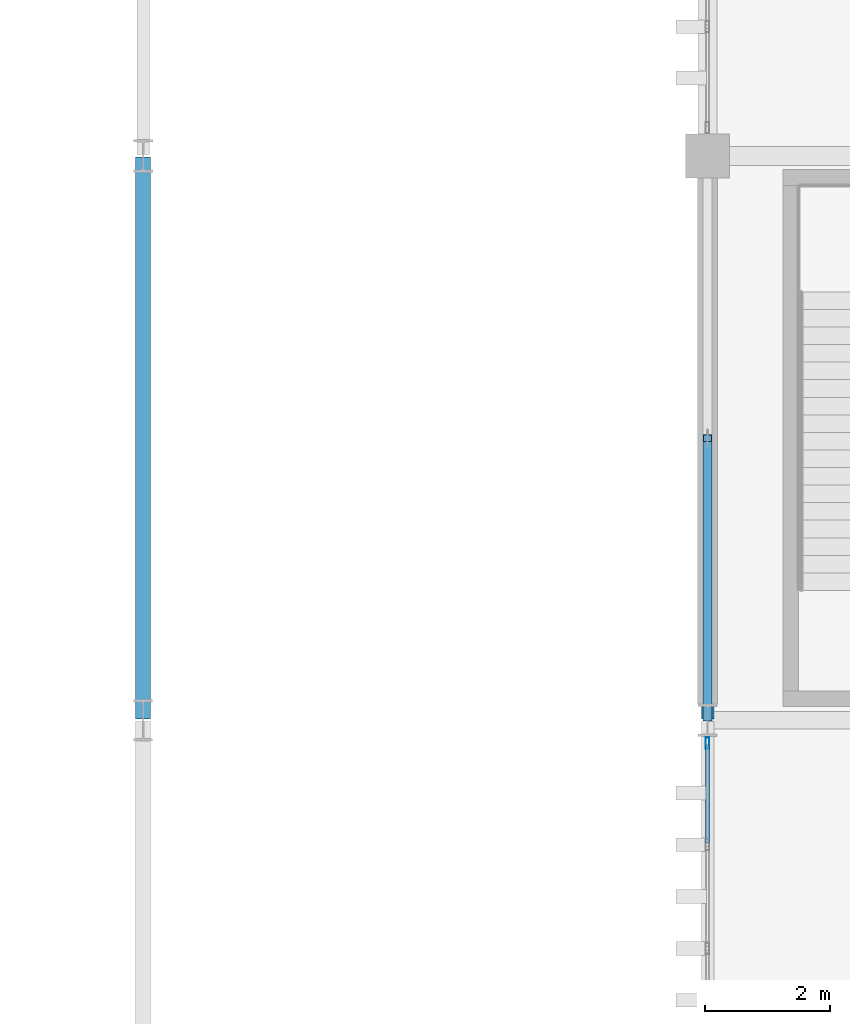
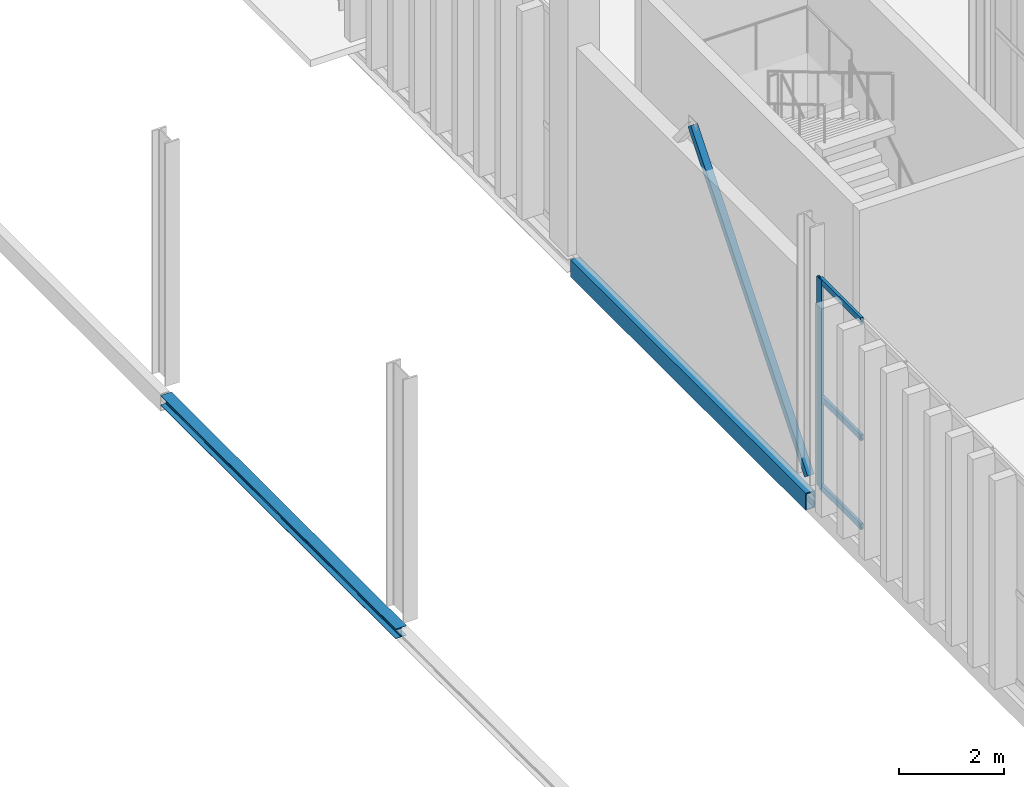
# One storey, part 102 of 237: 5 members, 2 beams, 1 element without a shape of its own.
"""IFC4 building model written with IfcOpenShell, lengths in metres."""

from ifc_helpers import new_model, si_unit, direction, frame, origin, origin_2d, place, context, subcontext, project, spatial, hollow_rectangle, i_section, extrude, material, layer, layer_set, material_profile, profile_set, type_object, element, aggregate, save


model = new_model("IFC4")

# Units and contexts
model_context = context("Model", 3, precision=1e-05, world=origin(), true_north=direction((0.0, 1.0)))
body_context = subcontext(model_context, "Body", "Model", "MODEL_VIEW")
ifc_project = project(units=[si_unit("LENGTHUNIT", "METRE"), si_unit("AREAUNIT", "SQUARE_METRE"), si_unit("VOLUMEUNIT", "CUBIC_METRE"), si_unit("PLANEANGLEUNIT", "RADIAN"), si_unit("MASSUNIT", "GRAM", prefix="KILO")], contexts=[model_context])

# Site, building, storey
site_placement = place(None, origin())
site = spatial("IfcSite", under=ifc_project, at=site_placement, CompositionType="ELEMENT")
building_placement = place(site_placement, origin())
building = spatial("IfcBuilding", under=site, at=building_placement, Name="Barlavento Convention Centre", CompositionType="ELEMENT")
storey_placement = place(building_placement, frame((0.0, 0.0, 12.0)))
storey = spatial("IfcBuildingStorey", under=building, at=storey_placement, Name="L02", CompositionType="ELEMENT", Elevation=12.0)

# Curtain wall, members
ifc_material_1 = material(Name="Powder-coated aluminium and Low-E glass", Category="aluminium")
ifc_layer = layer(ifc_material_1, 0.195068359375)
ifc_layer_set = layer_set([ifc_layer], Name="ARC-CW-BALL-L02")
curtain_wall_type = type_object("IfcCurtainWallType", Name="ARC-CW-BALL-L02", PredefinedType="NOTDEFINED", material=ifc_layer_set)
curtain_wall_placement = place(storey_placement, origin())
curtain_wall = element("IfcCurtainWall", 1, at=curtain_wall_placement, inside=storey, type_object=curtain_wall_type, Name="L02 unitised curtain wall CW07", PredefinedType="NOTDEFINED")
ifc_material_2 = material(Name="Powder-coated aluminium", Category="aluminium")
ifc_material_profile_1 = material_profile(ifc_material_2, hollow_rectangle(XDim=0.06005859375, YDim=0.179931640625, WallThickness=0.0048828125, at=origin_2d()), Name="AL-MULL 60x180x5")
ifc_profile_set_1 = profile_set([ifc_material_profile_1], Name="Powder-coated aluminium")
member_type_1 = type_object("IfcMemberType", Name="ARC-CWM-60X180", PredefinedType="MULLION", material=ifc_profile_set_1)
member_1_placement = place(storey_placement, frame((126.0, 80.637939453125, 0.0), z_axis=(0.0, 0.0, 1.0), x_axis=(-1.0, 0.0, 0.0)))
member_1 = element("IfcMember", 2, at=member_1_placement, type_object=member_type_1, Name="CW07 mullion 6", PredefinedType="MULLION", context=body_context, shape_type="SweptSolid", body=[
    extrude(hollow_rectangle(XDim=0.06005859375, YDim=0.179931640625, WallThickness=0.0048828125, at=origin_2d()), origin(), (0.0, 0.0, 1.0), 4.85009765625),
])
ifc_material_profile_2 = material_profile(ifc_material_2, hollow_rectangle(XDim=0.06005859375, YDim=0.139892578125, WallThickness=0.00390625, at=origin_2d()), Name="AL-TRAN 60x140x4")
ifc_profile_set_2 = profile_set([ifc_material_profile_2], Name="Powder-coated aluminium")
member_type_2 = type_object("IfcMemberType", Name="ARC-CWT-60X140", PredefinedType="USERDEFINED", material=ifc_profile_set_2)
member_2_placement = place(storey_placement, frame((126.0, 79.045166015625, 0.030029296875), z_axis=(0.0, 1.0, 0.0), x_axis=(-1.0, 0.0, 0.0)))
member_2 = element("IfcMember", 3, at=member_2_placement, type_object=member_type_2, Name="CW07 transom 5.1", ObjectType="TRANSOM", PredefinedType="USERDEFINED", context=body_context, shape_type="SweptSolid", body=[
    extrude(hollow_rectangle(XDim=0.06005859375, YDim=0.139892578125, WallThickness=0.00390625, at=origin_2d()), origin(), (0.0, 0.0, 1.0), 1.562744140625),
])
member_3_placement = place(storey_placement, frame((126.0, 79.045166015625, 2.10009765625), z_axis=(0.0, 1.0, 0.0), x_axis=(-1.0, 0.0, 0.0)))
member_3 = element("IfcMember", 4, at=member_3_placement, type_object=member_type_2, Name="CW07 transom 5.2", ObjectType="TRANSOM", PredefinedType="USERDEFINED", context=body_context, shape_type="SweptSolid", body=[
    extrude(hollow_rectangle(XDim=0.06005859375, YDim=0.139892578125, WallThickness=0.00390625, at=origin_2d()), origin(), (0.0, 0.0, 1.0), 1.562744140625),
])
member_4_placement = place(storey_placement, frame((126.0, 79.045166015625, 4.820068359375), z_axis=(0.0, 1.0, 0.0), x_axis=(-1.0, 0.0, 0.0)))
member_4 = element("IfcMember", 5, at=member_4_placement, type_object=member_type_2, Name="CW07 transom 5.3", ObjectType="TRANSOM", PredefinedType="USERDEFINED", context=body_context, shape_type="SweptSolid", body=[
    extrude(hollow_rectangle(XDim=0.06005859375, YDim=0.139892578125, WallThickness=0.00390625, at=origin_2d()), origin(), (0.0, 0.0, 1.0), 1.562744140625),
])
aggregate(curtain_wall, [member_1, member_2, member_3, member_4])

# Beams
ifc_material_3 = material(Name="Steel S355", Category="steel")
ifc_material_profile_3 = material_profile(ifc_material_3, i_section(OverallWidth=0.239990234375, OverallDepth=0.22998046875, WebThickness=0.007568359375, FlangeThickness=0.011962890625, FilletRadius=0.02099609375, at=origin_2d()), Name="HEA 240")
ifc_profile_set_3 = profile_set([ifc_material_profile_3], Name="Steel S355")
beam_type_1 = type_object("IfcBeamType", Name="STR-BM-SPN-HEA240", PredefinedType="SPANDREL", material=ifc_profile_set_3)
beam_1_placement = place(storey_placement, frame((117.0, 81.02001953125, -0.47509765625), z_axis=(0.0, 1.0, 0.0), x_axis=(-1.0, 0.0, 0.0)))
element("IfcBeam", 6, at=beam_1_placement, inside=storey, type_object=beam_type_1, Name="L02 grid girder SP05", PredefinedType="SPANDREL", context=body_context, shape_type="SweptSolid", body=[
    extrude(i_section(OverallWidth=0.239990234375, OverallDepth=0.22998046875, WebThickness=0.007568359375, FlangeThickness=0.011962890625, FilletRadius=0.02099609375, at=origin_2d()), origin(), (0.0, 0.0, 1.0), 8.9599609375),
])
ifc_material_profile_4 = material_profile(ifc_material_3, hollow_rectangle(XDim=0.199951171875, YDim=0.39990234375, WallThickness=0.01611328125, at=origin_2d()), Name="RHS 400x200x16.0")
ifc_profile_set_4 = profile_set([ifc_material_profile_4], Name="Steel S355")
beam_type_2 = type_object("IfcBeamType", Name="STR-BM-SPN-RHS400", PredefinedType="SPANDREL", material=ifc_profile_set_4)
beam_2_placement = place(storey_placement, frame((126.0, 81.02001953125, -0.56005859375), z_axis=(0.0, 1.0, 0.0), x_axis=(-1.0, 0.0, 0.0)))
element("IfcBeam", 7, at=beam_2_placement, inside=storey, type_object=beam_type_2, Name="L02 grid girder SP06", PredefinedType="SPANDREL", context=body_context, shape_type="SweptSolid", body=[
    extrude(hollow_rectangle(XDim=0.199951171875, YDim=0.39990234375, WallThickness=0.01611328125, at=origin_2d()), origin(), (0.0, 0.0, 1.0), 8.9599609375),
])

# Member
ifc_material_profile_5 = material_profile(ifc_material_3, hollow_rectangle(XDim=0.14990234375, YDim=0.14990234375, WallThickness=0.008056640625, at=origin_2d()), Name="SHS 150x150x8.0")
ifc_profile_set_5 = profile_set([ifc_material_profile_5], Name="Steel S355")
member_type_3 = type_object("IfcMemberType", Name="STR-MEM-BRC-SHS150", PredefinedType="BRACE", material=ifc_profile_set_5)
member_5_placement = place(storey_placement, frame((126.0, 81.050048828125, 0.0), z_axis=(0.0, 0.631766299865, 0.775158914258), x_axis=(-1.0, 0.0, 0.0)))
element("IfcMember", 8, at=member_5_placement, inside=storey, type_object=member_type_3, Name="Concentric lateral chevron brace BF04", PredefinedType="BRACE", context=body_context, shape_type="SweptSolid", body=[
    extrude(hollow_rectangle(XDim=0.14990234375, YDim=0.14990234375, WallThickness=0.008056640625, at=origin_2d()), origin(), (0.0, 0.0, 1.0), 7.043701171875),
])

save(model, "model.ifc")
